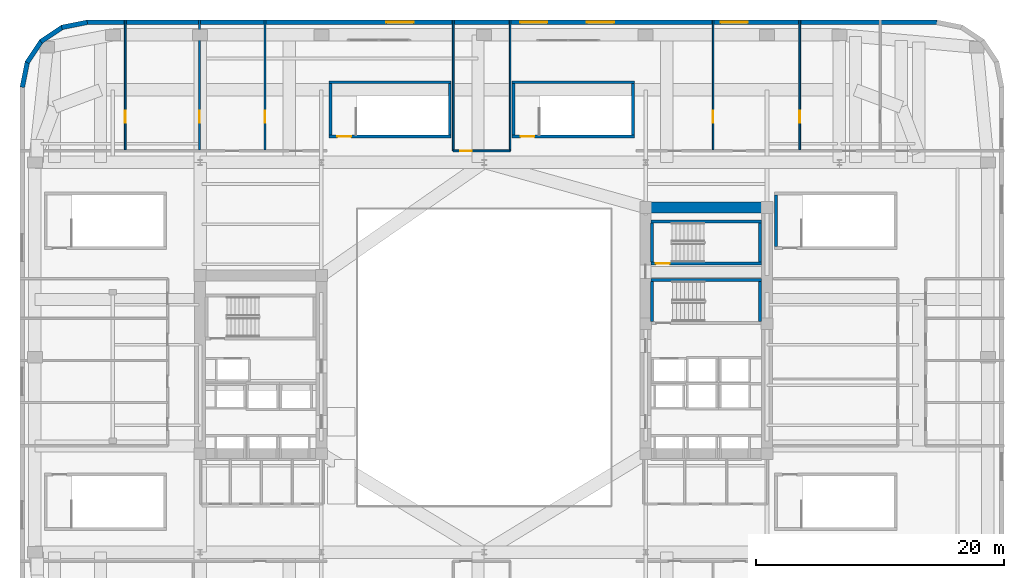
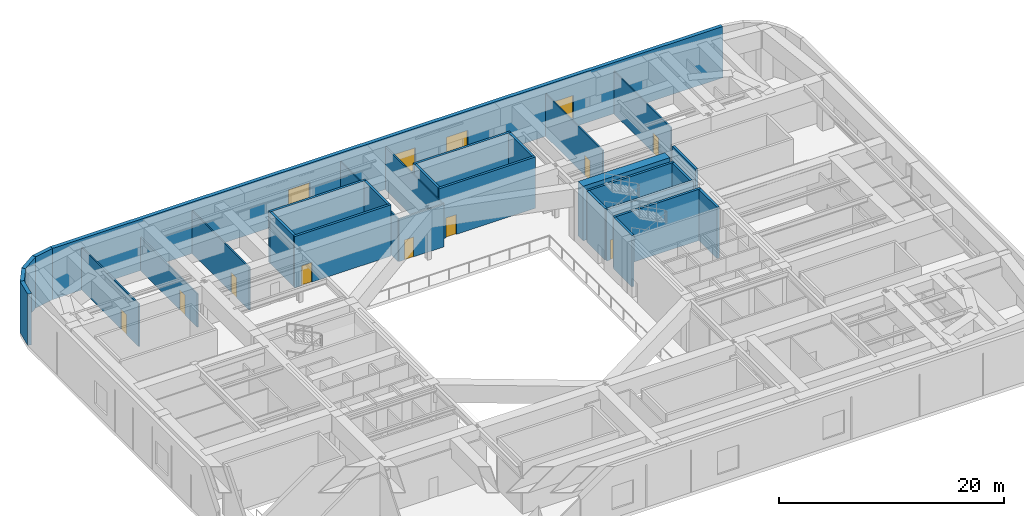
# One storey, part 9 of 16: 30 walls, 9 doors, 4 windows, 13 openings.
"""IFC4 building model written with IfcOpenShell, lengths in metres."""

from ifc_helpers import new_model, si_unit, direction, frame, frame_2d, origin, place, context, subcontext, project, spatial, rectangle, extrude, material, layer, layer_set, type_object, element, fill, save


model = new_model("IFC4")

# Units and contexts
model_context = context("Model", 3, precision=1e-05, world=origin(), true_north=direction((0.0, 1.0)))
body_context = subcontext(model_context, "Body", "Model", "MODEL_VIEW")
ifc_project = project(units=[si_unit("LENGTHUNIT", "METRE"), si_unit("AREAUNIT", "SQUARE_METRE"), si_unit("VOLUMEUNIT", "CUBIC_METRE"), si_unit("PLANEANGLEUNIT", "RADIAN"), si_unit("MASSUNIT", "GRAM", prefix="KILO")], contexts=[model_context])

# Site, building, storey
site_placement = place(None, origin())
site = spatial("IfcSite", under=ifc_project, at=site_placement, CompositionType="ELEMENT")
building_placement = place(site_placement, origin())
building = spatial("IfcBuilding", under=site, at=building_placement, Name="Kolvaren Arena Tower", CompositionType="ELEMENT")
storey_placement = place(building_placement, frame((0.0, 0.0, 28.0)))
storey = spatial("IfcBuildingStorey", under=building, at=storey_placement, Name="L05", CompositionType="ELEMENT", Elevation=28.0)

# Wall, opening, door
ifc_material_1 = material(Name="Gypsum board acoustic assembly", Category="gypsum")
ifc_layer_1 = layer(ifc_material_1, 0.159912109375)
ifc_layer_set_1 = layer_set([ifc_layer_1], Name="Gypsum board acoustic assembly")
wall_type_1 = type_object("IfcWallType", Name="CORR-160", PredefinedType="PARTITIONING", material=ifc_layer_set_1)
wall_1_placement = place(storey_placement, frame((35.0, 43.919921875, 0.0), z_axis=(0.0, 0.0, 1.0), x_axis=(1.0, 0.0, 0.0)))
wall_1 = element("IfcWall", 1, at=wall_1_placement, inside=storey, type_object=wall_type_1, Name="Interior Partition Wall (L05)", PredefinedType="PARTITIONING", context=body_context, shape_type="SweptSolid", body=[
    extrude(rectangle(XDim=4.60009765625, YDim=0.159912109375, at=frame_2d((2.300048828125, 0.0))), origin(), (0.0, 0.0, 1.0), 4.610107421875),
])
opening_1_placement = place(wall_1_placement, frame((0.550048828125, 0.0, 0.0)))
opening_1 = element("IfcOpeningElement", 2, at=opening_1_placement, cuts=wall_1, Name="Opening D05", PredefinedType="OPENING", context=body_context, shape_type="SweptSolid", body=[
    extrude(rectangle(XDim=0.949951171875, YDim=2.14990234375, at=frame_2d((0.47509765625, 1.074951171875))), frame((0.0, 0.08984375, 0.0), z_axis=(0.0, -1.0, 0.0), x_axis=(1.0, 0.0, 0.0)), (0.0, 0.0, 1.0), 0.179931640625),
])
ifc_material_2 = material(Name="Solid-core oak acoustic office door", Category="wood")
door_type_1 = type_object("IfcDoorType", Name="DOOR-OF-095", OperationType="NOTDEFINED", PredefinedType="DOOR", material=ifc_material_2)
door_1_placement = place(opening_1_placement, origin())
door_1 = element("IfcDoor", 3, at=door_1_placement, inside=storey, type_object=door_type_1, Name="North Concourse Lounge Door (L05)", OperationType="SINGLE_SWING_RIGHT", OverallHeight=2.14990234375, OverallWidth=0.949951171875, PredefinedType="DOOR", context=body_context, shape_type="SweptSolid", body=[
    extrude(rectangle(XDim=0.949951171875, YDim=2.14990234375, at=frame_2d((0.47509765625, 1.074951171875))), frame((0.0, 0.02490234375, 0.0), z_axis=(0.0, -1.0, 0.0), x_axis=(1.0, 0.0, 0.0)), (0.0, 0.0, 1.0), 0.050048828125),
])
fill(opening_1, door_1)

# Wall
ifc_material_3 = material(Name="Concrete 80 MPa", Category="concrete")
ifc_layer_2 = layer(ifc_material_3, 0.89990234375)
ifc_layer_set_2 = layer_set([ifc_layer_2], Name="Concrete 80 MPa")
wall_type_2 = type_object("IfcWallType", Name="CWALL-900", PredefinedType="SHEAR", material=ifc_layer_set_2)
wall_2_placement = place(storey_placement, frame((51.0, 39.35009765625, -0.35009765625), z_axis=(0.0, 0.0, 1.0), x_axis=(1.0, 0.0, 0.0)))
element("IfcWall", 4, at=wall_2_placement, inside=storey, type_object=wall_type_2, Name="Core Shear Wall EC-NORTH (L05)", PredefinedType="SHEAR", context=body_context, shape_type="SweptSolid", body=[
    extrude(rectangle(XDim=8.89990234375, YDim=0.89990234375, at=frame_2d((4.449951171875, 0.0))), origin(), (0.0, 0.0, 1.0), 5.900146484375),
])

# Wall, openings, windows
ifc_material_4 = material(Name="Precast concrete C50/60", Category="concrete")
ifc_layer_3 = layer(ifc_material_4, 0.3798828125)
ifc_layer_set_3 = layer_set([ifc_layer_3], Name="Precast concrete C50/60")
wall_type_3 = type_object("IfcWallType", Name="EXT-ARENA", PredefinedType="SOLIDWALL", material=ifc_layer_set_3)
wall_3_placement = place(storey_placement, frame((5.39990234375, 54.31005859375, 0.0), z_axis=(0.0, 0.0, 1.0), x_axis=(1.0, 0.0, 0.0)))
wall_3 = element("IfcWall", 5, at=wall_3_placement, inside=storey, type_object=wall_type_3, Name="Exterior Precast Masonry-Frame Wall (L05)", PredefinedType="SOLIDWALL", context=body_context, shape_type="SweptSolid", body=[
    extrude(rectangle(XDim=68.7001953125, YDim=0.3798828125, at=frame_2d((34.35009765625, 0.0))), origin(), (0.0, 0.0, 1.0), 5.550048828125),
])
opening_2_placement = place(wall_3_placement, frame((24.199951171875, 0.0, 0.949951171875)))
opening_2 = element("IfcOpeningElement", 6, at=opening_2_placement, cuts=wall_3, Name="Opening W07", PredefinedType="OPENING", context=body_context, shape_type="SweptSolid", body=[
    extrude(rectangle(XDim=2.199951171875, YDim=2.5, at=frame_2d((1.10009765625, 1.25))), frame((0.0, 0.199951171875, 0.0), z_axis=(0.0, -1.0, 0.0), x_axis=(1.0, 0.0, 0.0)), (0.0, 0.0, 1.0), 0.39990234375),
])
opening_3_placement = place(wall_3_placement, frame((35.0, 0.0, 0.949951171875)))
opening_3 = element("IfcOpeningElement", 7, at=opening_3_placement, cuts=wall_3, Name="Opening W07", PredefinedType="OPENING", context=body_context, shape_type="SweptSolid", body=[
    extrude(rectangle(XDim=2.199951171875, YDim=2.5, at=frame_2d((1.10009765625, 1.25))), frame((0.0, 0.199951171875, 0.0), z_axis=(0.0, -1.0, 0.0), x_axis=(1.0, 0.0, 0.0)), (0.0, 0.0, 1.0), 0.39990234375),
])
opening_4_placement = place(wall_3_placement, frame((40.39990234375, 0.0, 0.949951171875)))
opening_4 = element("IfcOpeningElement", 8, at=opening_4_placement, cuts=wall_3, Name="Opening W07", PredefinedType="OPENING", context=body_context, shape_type="SweptSolid", body=[
    extrude(rectangle(XDim=2.199951171875, YDim=2.5, at=frame_2d((1.10009765625, 1.25))), frame((0.0, 0.199951171875, 0.0), z_axis=(0.0, -1.0, 0.0), x_axis=(1.0, 0.0, 0.0)), (0.0, 0.0, 1.0), 0.39990234375),
])
opening_5_placement = place(wall_3_placement, frame((51.199951171875, 0.0, 0.949951171875)))
opening_5 = element("IfcOpeningElement", 9, at=opening_5_placement, cuts=wall_3, Name="Opening W07", PredefinedType="OPENING", context=body_context, shape_type="SweptSolid", body=[
    extrude(rectangle(XDim=2.199951171875, YDim=2.5, at=frame_2d((1.10009765625, 1.25))), frame((0.0, 0.199951171875, 0.0), z_axis=(0.0, -1.0, 0.0), x_axis=(1.0, 0.0, 0.0)), (0.0, 0.0, 1.0), 0.39990234375),
])
ifc_material_5 = material(Name="Triple-glazed arena concourse window", Category="glass")
window_type = type_object("IfcWindowType", Name="WIN-POD-A", PartitioningType="DOUBLE_PANEL_VERTICAL", PredefinedType="WINDOW", material=ifc_material_5)
window_1_placement = place(opening_2_placement, origin())
window_1 = element("IfcWindow", 10, at=window_1_placement, inside=storey, type_object=window_type, Name="Punched Precast-Pier Window (L05)", OverallHeight=2.5, OverallWidth=2.199951171875, PartitioningType="DOUBLE_PANEL_VERTICAL", PredefinedType="WINDOW", context=body_context, shape_type="SweptSolid", body=[
    extrude(rectangle(XDim=2.199951171875, YDim=2.5, at=frame_2d((1.10009765625, 1.25))), frame((0.0, 0.030029296875, 0.0), z_axis=(0.0, -1.0, 0.0), x_axis=(1.0, 0.0, 0.0)), (0.0, 0.0, 1.0), 0.06005859375),
])
fill(opening_2, window_1)
window_2_placement = place(opening_3_placement, origin())
window_2 = element("IfcWindow", 11, at=window_2_placement, inside=storey, type_object=window_type, Name="Punched Precast-Pier Window (L05)", OverallHeight=2.5, OverallWidth=2.199951171875, PartitioningType="DOUBLE_PANEL_VERTICAL", PredefinedType="WINDOW", context=body_context, shape_type="SweptSolid", body=[
    extrude(rectangle(XDim=2.199951171875, YDim=2.5, at=frame_2d((1.10009765625, 1.25))), frame((0.0, 0.030029296875, 0.0), z_axis=(0.0, -1.0, 0.0), x_axis=(1.0, 0.0, 0.0)), (0.0, 0.0, 1.0), 0.06005859375),
])
fill(opening_3, window_2)
window_3_placement = place(opening_4_placement, origin())
window_3 = element("IfcWindow", 12, at=window_3_placement, inside=storey, type_object=window_type, Name="Punched Precast-Pier Window (L05)", OverallHeight=2.5, OverallWidth=2.199951171875, PartitioningType="DOUBLE_PANEL_VERTICAL", PredefinedType="WINDOW", context=body_context, shape_type="SweptSolid", body=[
    extrude(rectangle(XDim=2.199951171875, YDim=2.5, at=frame_2d((1.10009765625, 1.25))), frame((0.0, 0.030029296875, 0.0), z_axis=(0.0, -1.0, 0.0), x_axis=(1.0, 0.0, 0.0)), (0.0, 0.0, 1.0), 0.06005859375),
])
fill(opening_4, window_3)
window_4_placement = place(opening_5_placement, origin())
window_4 = element("IfcWindow", 13, at=window_4_placement, inside=storey, type_object=window_type, Name="Punched Precast-Pier Window (L05)", OverallHeight=2.5, OverallWidth=2.199951171875, PartitioningType="DOUBLE_PANEL_VERTICAL", PredefinedType="WINDOW", context=body_context, shape_type="SweptSolid", body=[
    extrude(rectangle(XDim=2.199951171875, YDim=2.5, at=frame_2d((1.10009765625, 1.25))), frame((0.0, 0.030029296875, 0.0), z_axis=(0.0, -1.0, 0.0), x_axis=(1.0, 0.0, 0.0)), (0.0, 0.0, 1.0), 0.06005859375),
])
fill(opening_5, window_4)

# Walls
for number, where, z_axis, x_axis, name in (
    (14, (3.37060546875, 53.902587890625, 0.0), (0.0, 0.0, 1.0), (0.9807762837, 0.195135546048, 0.0), "Exterior Precast Masonry-Frame Wall (L05)"),
    (15, (1.687255859375, 52.760498046875, 0.0), (0.0, 0.0, 1.0), (0.831515102434, 0.555502146192, 0.0), "Exterior Precast Masonry-Frame Wall (L05)"),
    (16, (0.569091796875, 51.060791015625, 0.0), (0.0, 0.0, 1.0), (0.555502146192, 0.831515102434, 0.0), "Exterior Precast Masonry-Frame Wall (L05)"),
    (17, (0.186279296875, 49.06298828125, 0.0), (0.0, 0.0, 1.0), (0.195135546048, 0.9807762837, 0.0), "Exterior Precast Masonry-Frame Wall (L05)"),
):
    element("IfcWall", number, at=place(storey_placement, frame(where, z_axis=z_axis, x_axis=x_axis)), inside=storey, type_object=wall_type_3, Name=name, PredefinedType="SOLIDWALL", context=body_context, shape_type="SweptSolid", body=[
        extrude(rectangle(XDim=2.10693359375, YDim=0.3798828125, at=frame_2d((1.053466796875, 0.0))), origin(), (0.0, 0.0, 1.0), 5.550048828125),
    ])

# Wall, opening, door
ifc_material_6 = material(Name="Gypsum board partition assembly", Category="gypsum")
ifc_layer_4 = layer(ifc_material_6, 0.135009765625)
ifc_layer_set_4 = layer_set([ifc_layer_4], Name="Gypsum board partition assembly")
wall_type_4 = type_object("IfcWallType", Name="PART-135", PredefinedType="PARTITIONING", material=ifc_layer_set_4)
wall_4_placement = place(storey_placement, frame((8.5, 44.010009765625, 0.0), z_axis=(0.0, 0.0, 1.0), x_axis=(0.0, 1.0, 0.0)))
wall_4 = element("IfcWall", 18, at=wall_4_placement, inside=storey, type_object=wall_type_4, Name="Interior Partition Wall (L05)", PredefinedType="PARTITIONING", context=body_context, shape_type="SweptSolid", body=[
    extrude(rectangle(XDim=10.489990234375, YDim=0.135009765625, at=frame_2d((5.2451171875, 0.0))), origin(), (0.0, 0.0, 1.0), 4.610107421875),
])
opening_6_placement = place(wall_4_placement, frame((2.199951171875, 0.0, 0.0)))
opening_6 = element("IfcOpeningElement", 19, at=opening_6_placement, cuts=wall_4, Name="Opening D05", PredefinedType="OPENING", context=body_context, shape_type="SweptSolid", body=[
    extrude(rectangle(XDim=0.949951171875, YDim=2.14990234375, at=frame_2d((0.47509765625, 1.074951171875))), frame((0.0, 0.077392578125, 0.0), z_axis=(0.0, -1.0, 0.0), x_axis=(1.0, 0.0, 0.0)), (0.0, 0.0, 1.0), 0.155029296875),
])
door_2_placement = place(opening_6_placement, origin())
door_2 = element("IfcDoor", 20, at=door_2_placement, inside=storey, type_object=door_type_1, Name="North-West Spectator Club Connecting Door (L05)", OperationType="SINGLE_SWING_LEFT", OverallHeight=2.14990234375, OverallWidth=0.949951171875, PredefinedType="DOOR", context=body_context, shape_type="SweptSolid", body=[
    extrude(rectangle(XDim=0.949951171875, YDim=2.14990234375, at=frame_2d((0.47509765625, 1.074951171875))), frame((0.0, 0.02490234375, 0.0), z_axis=(0.0, -1.0, 0.0), x_axis=(1.0, 0.0, 0.0)), (0.0, 0.0, 1.0), 0.050048828125),
])
fill(opening_6, door_2)

wall_5_placement = place(storey_placement, frame((14.5, 44.010009765625, 0.0), z_axis=(0.0, 0.0, 1.0), x_axis=(0.0, 1.0, 0.0)))
wall_5 = element("IfcWall", 21, at=wall_5_placement, inside=storey, type_object=wall_type_4, Name="Interior Partition Wall (L05)", PredefinedType="PARTITIONING", context=body_context, shape_type="SweptSolid", body=[
    extrude(rectangle(XDim=10.489990234375, YDim=0.135009765625, at=frame_2d((5.2451171875, 0.0))), origin(), (0.0, 0.0, 1.0), 3.60009765625),
])
opening_7_placement = place(wall_5_placement, frame((2.199951171875, 0.0, 0.0)))
opening_7 = element("IfcOpeningElement", 22, at=opening_7_placement, cuts=wall_5, Name="Opening D05", PredefinedType="OPENING", context=body_context, shape_type="SweptSolid", body=[
    extrude(rectangle(XDim=0.949951171875, YDim=2.14990234375, at=frame_2d((0.47509765625, 1.074951171875))), frame((0.0, 0.077392578125, 0.0), z_axis=(0.0, -1.0, 0.0), x_axis=(1.0, 0.0, 0.0)), (0.0, 0.0, 1.0), 0.155029296875),
])
door_3_placement = place(opening_7_placement, origin())
door_3 = element("IfcDoor", 23, at=door_3_placement, inside=storey, type_object=door_type_1, Name="Concourse Kitchen Connecting Door (L05)", OperationType="SINGLE_SWING_LEFT", OverallHeight=2.14990234375, OverallWidth=0.949951171875, PredefinedType="DOOR", context=body_context, shape_type="SweptSolid", body=[
    extrude(rectangle(XDim=0.949951171875, YDim=2.14990234375, at=frame_2d((0.47509765625, 1.074951171875))), frame((0.0, 0.02490234375, 0.0), z_axis=(0.0, -1.0, 0.0), x_axis=(1.0, 0.0, 0.0)), (0.0, 0.0, 1.0), 0.050048828125),
])
fill(opening_7, door_3)

wall_6_placement = place(storey_placement, frame((19.800048828125, 44.010009765625, 0.0), z_axis=(0.0, 0.0, 1.0), x_axis=(0.0, 1.0, 0.0)))
wall_6 = element("IfcWall", 24, at=wall_6_placement, inside=storey, type_object=wall_type_4, Name="Interior Partition Wall (L05)", PredefinedType="PARTITIONING", context=body_context, shape_type="SweptSolid", body=[
    extrude(rectangle(XDim=10.489990234375, YDim=0.135009765625, at=frame_2d((5.2451171875, 0.0))), origin(), (0.0, 0.0, 1.0), 4.610107421875),
])
opening_8_placement = place(wall_6_placement, frame((2.199951171875, 0.0, 0.0)))
opening_8 = element("IfcOpeningElement", 25, at=opening_8_placement, cuts=wall_6, Name="Opening D05", PredefinedType="OPENING", context=body_context, shape_type="SweptSolid", body=[
    extrude(rectangle(XDim=0.949951171875, YDim=2.14990234375, at=frame_2d((0.47509765625, 1.074951171875))), frame((0.0, 0.077392578125, 0.0), z_axis=(0.0, -1.0, 0.0), x_axis=(1.0, 0.0, 0.0)), (0.0, 0.0, 1.0), 0.155029296875),
])
door_4_placement = place(opening_8_placement, origin())
door_4 = element("IfcDoor", 26, at=door_4_placement, inside=storey, type_object=door_type_1, Name="Family Lounge Connecting Door (L05)", OperationType="SINGLE_SWING_LEFT", OverallHeight=2.14990234375, OverallWidth=0.949951171875, PredefinedType="DOOR", context=body_context, shape_type="SweptSolid", body=[
    extrude(rectangle(XDim=0.949951171875, YDim=2.14990234375, at=frame_2d((0.47509765625, 1.074951171875))), frame((0.0, 0.02490234375, 0.0), z_axis=(0.0, -1.0, 0.0), x_axis=(1.0, 0.0, 0.0)), (0.0, 0.0, 1.0), 0.050048828125),
])
fill(opening_8, door_4)

wall_7_placement = place(storey_placement, frame((56.0, 44.010009765625, 0.0), z_axis=(0.0, 0.0, 1.0), x_axis=(0.0, 1.0, 0.0)))
wall_7 = element("IfcWall", 27, at=wall_7_placement, inside=storey, type_object=wall_type_4, Name="Interior Partition Wall (L05)", PredefinedType="PARTITIONING", context=body_context, shape_type="SweptSolid", body=[
    extrude(rectangle(XDim=10.489990234375, YDim=0.135009765625, at=frame_2d((5.2451171875, 0.0))), origin(), (0.0, 0.0, 1.0), 4.610107421875),
])
opening_9_placement = place(wall_7_placement, frame((2.199951171875, 0.0, 0.0)))
opening_9 = element("IfcOpeningElement", 28, at=opening_9_placement, cuts=wall_7, Name="Opening D05", PredefinedType="OPENING", context=body_context, shape_type="SweptSolid", body=[
    extrude(rectangle(XDim=0.949951171875, YDim=2.14990234375, at=frame_2d((0.47509765625, 1.074951171875))), frame((0.0, 0.077392578125, 0.0), z_axis=(0.0, -1.0, 0.0), x_axis=(1.0, 0.0, 0.0)), (0.0, 0.0, 1.0), 0.155029296875),
])
door_5_placement = place(opening_9_placement, origin())
door_5 = element("IfcDoor", 29, at=door_5_placement, inside=storey, type_object=door_type_1, Name="North-East Sponsor Hall Connecting Door (L05)", OperationType="SINGLE_SWING_LEFT", OverallHeight=2.14990234375, OverallWidth=0.949951171875, PredefinedType="DOOR", context=body_context, shape_type="SweptSolid", body=[
    extrude(rectangle(XDim=0.949951171875, YDim=2.14990234375, at=frame_2d((0.47509765625, 1.074951171875))), frame((0.0, 0.02490234375, 0.0), z_axis=(0.0, -1.0, 0.0), x_axis=(1.0, 0.0, 0.0)), (0.0, 0.0, 1.0), 0.050048828125),
])
fill(opening_9, door_5)

wall_8_placement = place(storey_placement, frame((63.0, 44.010009765625, 0.0), z_axis=(0.0, 0.0, 1.0), x_axis=(0.0, 1.0, 0.0)))
wall_8 = element("IfcWall", 30, at=wall_8_placement, inside=storey, type_object=wall_type_4, Name="Interior Partition Wall (L05)", PredefinedType="PARTITIONING", context=body_context, shape_type="SweptSolid", body=[
    extrude(rectangle(XDim=10.489990234375, YDim=0.135009765625, at=frame_2d((5.2451171875, 0.0))), origin(), (0.0, 0.0, 1.0), 4.610107421875),
])
opening_10_placement = place(wall_8_placement, frame((2.199951171875, 0.0, 0.0)))
opening_10 = element("IfcOpeningElement", 31, at=opening_10_placement, cuts=wall_8, Name="Opening D05", PredefinedType="OPENING", context=body_context, shape_type="SweptSolid", body=[
    extrude(rectangle(XDim=0.949951171875, YDim=2.14990234375, at=frame_2d((0.47509765625, 1.074951171875))), frame((0.0, 0.077392578125, 0.0), z_axis=(0.0, -1.0, 0.0), x_axis=(1.0, 0.0, 0.0)), (0.0, 0.0, 1.0), 0.155029296875),
])
door_6_placement = place(opening_10_placement, origin())
door_6 = element("IfcDoor", 32, at=door_6_placement, inside=storey, type_object=door_type_1, Name="Media Hospitality Room Connecting Door (L05)", OperationType="SINGLE_SWING_LEFT", OverallHeight=2.14990234375, OverallWidth=0.949951171875, PredefinedType="DOOR", context=body_context, shape_type="SweptSolid", body=[
    extrude(rectangle(XDim=0.949951171875, YDim=2.14990234375, at=frame_2d((0.47509765625, 1.074951171875))), frame((0.0, 0.02490234375, 0.0), z_axis=(0.0, -1.0, 0.0), x_axis=(1.0, 0.0, 0.0)), (0.0, 0.0, 1.0), 0.050048828125),
])
fill(opening_10, door_6)

# Walls
for number, where, z_axis, x_axis, name in (
    (33, (35.0, 43.919921875, 0.0), (0.0, 0.0, 1.0), (0.0, 1.0, 0.0), "Interior Partition Wall (L05)"),
    (34, (39.60009765625, 43.919921875, 0.0), (0.0, 0.0, 1.0), (0.0, 1.0, 0.0), "Interior Partition Wall (L05)"),
):
    element("IfcWall", number, at=place(storey_placement, frame(where, z_axis=z_axis, x_axis=x_axis)), inside=storey, type_object=wall_type_4, Name=name, PredefinedType="PARTITIONING", context=body_context, shape_type="SweptSolid", body=[
        extrude(rectangle(XDim=10.580078125, YDim=0.135009765625, at=frame_2d((5.2900390625, 0.0))), origin(), (0.0, 0.0, 1.0), 4.610107421875),
    ])

# Wall, opening, door
ifc_material_7 = material(Name="Concrete 45 MPa", Category="concrete")
ifc_layer_5 = layer(ifc_material_7, 0.25)
ifc_layer_set_5 = layer_set([ifc_layer_5], Name="Concrete 45 MPa")
wall_type_5 = type_object("IfcWallType", Name="SHAFT-250", PredefinedType="SOLIDWALL", material=ifc_layer_set_5)
wall_9_placement = place(storey_placement, frame((34.840087890625, 45.080078125, 0.0), z_axis=(0.0, 0.0, 1.0), x_axis=(-1.0, 0.0, 0.0)))
wall_9 = element("IfcWall", 35, at=wall_9_placement, inside=storey, type_object=wall_type_5, Name="Stair ST-A6 Rated Enclosure Wall (L05)", PredefinedType="SOLIDWALL", context=body_context, shape_type="SweptSolid", body=[
    extrude(rectangle(XDim=9.880126953125, YDim=0.239990234375, at=frame_2d((4.93994140625, 0.0))), origin(), (0.0, 0.0, 1.0), 5.550048828125),
])
opening_11_placement = place(wall_9_placement, frame((8.090087890625, 0.0, 0.0)))
opening_11 = element("IfcOpeningElement", 36, at=opening_11_placement, cuts=wall_9, Name="Opening D03", PredefinedType="OPENING", context=body_context, shape_type="SweptSolid", body=[
    extrude(rectangle(XDim=1.10009765625, YDim=2.14990234375, at=frame_2d((0.550048828125, 1.074951171875))), frame((0.0, 0.1298828125, 0.0), z_axis=(0.0, -1.0, 0.0), x_axis=(1.0, 0.0, 0.0)), (0.0, 0.0, 1.0), 0.260009765625),
])
ifc_material_8 = material(Name="Fire-rated steel exit stair door", Category="steel")
door_type_2 = type_object("IfcDoorType", Name="DOOR-ST-110", OperationType="NOTDEFINED", PredefinedType="DOOR", material=ifc_material_8)
door_7_placement = place(opening_11_placement, origin())
door_7 = element("IfcDoor", 37, at=door_7_placement, inside=storey, type_object=door_type_2, Name="Exit Stair ST-A6 Fire Door (L05)", OperationType="SINGLE_SWING_RIGHT", OverallHeight=2.14990234375, OverallWidth=1.10009765625, PredefinedType="DOOR", context=body_context, shape_type="SweptSolid", body=[
    extrude(rectangle(XDim=1.10009765625, YDim=2.14990234375, at=frame_2d((0.550048828125, 1.074951171875))), frame((0.0, 0.02490234375, 0.0), z_axis=(0.0, -1.0, 0.0), x_axis=(1.0, 0.0, 0.0)), (0.0, 0.0, 1.0), 0.050048828125),
])
fill(opening_11, door_7)

# Walls
wall_10_placement = place(storey_placement, frame((24.9599609375, 49.469970703125, 0.0), z_axis=(0.0, 0.0, 1.0), x_axis=(1.0, 0.0, 0.0)))
element("IfcWall", 38, at=wall_10_placement, inside=storey, type_object=wall_type_5, Name="Stair ST-A6 Rear Shaft Wall (L05)", PredefinedType="SOLIDWALL", context=body_context, shape_type="SweptSolid", body=[
    extrude(rectangle(XDim=9.880126953125, YDim=0.239990234375, at=frame_2d((4.93994140625, 0.0))), origin(), (0.0, 0.0, 1.0), 5.550048828125),
])
for number, where, z_axis, x_axis, name in (
    (39, (25.080078125, 45.199951171875, 0.0), (0.0, 0.0, 1.0), (0.0, 1.0, 0.0), "Stair ST-A6 West Shaft Wall (L05)"),
    (40, (34.719970703125, 45.199951171875, 0.0), (0.0, 0.0, 1.0), (0.0, 1.0, 0.0), "Stair ST-A6 East Shaft Wall (L05)"),
):
    element("IfcWall", number, at=place(storey_placement, frame(where, z_axis=z_axis, x_axis=x_axis)), inside=storey, type_object=wall_type_5, Name=name, PredefinedType="SOLIDWALL", context=body_context, shape_type="SweptSolid", body=[
        extrude(rectangle(XDim=4.150146484375, YDim=0.239990234375, at=frame_2d((2.0751953125, 0.0))), origin(), (0.0, 0.0, 1.0), 5.550048828125),
    ])

# Wall, opening, door
wall_11_placement = place(storey_placement, frame((49.639892578125, 45.080078125, 0.0), z_axis=(0.0, 0.0, 1.0), x_axis=(-1.0, 0.0, 0.0)))
wall_11 = element("IfcWall", 41, at=wall_11_placement, inside=storey, type_object=wall_type_5, Name="Stair ST-A7 Rated Enclosure Wall (L05)", PredefinedType="SOLIDWALL", context=body_context, shape_type="SweptSolid", body=[
    extrude(rectangle(XDim=9.8798828125, YDim=0.239990234375, at=frame_2d((4.93994140625, 0.0))), origin(), (0.0, 0.0, 1.0), 5.550048828125),
])
opening_12_placement = place(wall_11_placement, frame((8.090087890625, 0.0, 0.0)))
opening_12 = element("IfcOpeningElement", 42, at=opening_12_placement, cuts=wall_11, Name="Opening D03", PredefinedType="OPENING", context=body_context, shape_type="SweptSolid", body=[
    extrude(rectangle(XDim=1.10009765625, YDim=2.14990234375, at=frame_2d((0.550048828125, 1.074951171875))), frame((0.0, 0.1298828125, 0.0), z_axis=(0.0, -1.0, 0.0), x_axis=(1.0, 0.0, 0.0)), (0.0, 0.0, 1.0), 0.260009765625),
])
door_8_placement = place(opening_12_placement, origin())
door_8 = element("IfcDoor", 43, at=door_8_placement, inside=storey, type_object=door_type_2, Name="Exit Stair ST-A7 Fire Door (L05)", OperationType="SINGLE_SWING_RIGHT", OverallHeight=2.14990234375, OverallWidth=1.10009765625, PredefinedType="DOOR", context=body_context, shape_type="SweptSolid", body=[
    extrude(rectangle(XDim=1.10009765625, YDim=2.14990234375, at=frame_2d((0.550048828125, 1.074951171875))), frame((0.0, 0.02490234375, 0.0), z_axis=(0.0, -1.0, 0.0), x_axis=(1.0, 0.0, 0.0)), (0.0, 0.0, 1.0), 0.050048828125),
])
fill(opening_12, door_8)

# Walls
wall_12_placement = place(storey_placement, frame((39.760009765625, 49.469970703125, 0.0), z_axis=(0.0, 0.0, 1.0), x_axis=(1.0, 0.0, 0.0)))
element("IfcWall", 44, at=wall_12_placement, inside=storey, type_object=wall_type_5, Name="Stair ST-A7 Rear Shaft Wall (L05)", PredefinedType="SOLIDWALL", context=body_context, shape_type="SweptSolid", body=[
    extrude(rectangle(XDim=9.8798828125, YDim=0.239990234375, at=frame_2d((4.93994140625, 0.0))), origin(), (0.0, 0.0, 1.0), 5.550048828125),
])
for number, where, z_axis, x_axis, name in (
    (45, (39.8798828125, 45.199951171875, 0.0), (0.0, 0.0, 1.0), (0.0, 1.0, 0.0), "Stair ST-A7 West Shaft Wall (L05)"),
    (46, (49.52001953125, 45.199951171875, 0.0), (0.0, 0.0, 1.0), (0.0, 1.0, 0.0), "Stair ST-A7 East Shaft Wall (L05)"),
    (47, (61.080078125, 36.199951171875, 0.0), (0.0, 0.0, 1.0), (0.0, 1.0, 0.0), "Stair ST-A8 West Shaft Wall (L05)"),
):
    element("IfcWall", number, at=place(storey_placement, frame(where, z_axis=z_axis, x_axis=x_axis)), inside=storey, type_object=wall_type_5, Name=name, PredefinedType="SOLIDWALL", context=body_context, shape_type="SweptSolid", body=[
        extrude(rectangle(XDim=4.150146484375, YDim=0.239990234375, at=frame_2d((2.0751953125, 0.0))), origin(), (0.0, 0.0, 1.0), 5.550048828125),
    ])
wall_13_placement = place(storey_placement, frame((51.0, 33.5, 0.0), z_axis=(0.0, 0.0, 1.0), x_axis=(1.0, 0.0, 0.0)))
element("IfcWall", 48, at=wall_13_placement, inside=storey, type_object=wall_type_5, Name="Core Shaft Wall (L05)", PredefinedType="SOLIDWALL", context=body_context, shape_type="SweptSolid", body=[
    extrude(rectangle(XDim=8.89990234375, YDim=0.239990234375, at=frame_2d((4.449951171875, 0.0))), origin(), (0.0, 0.0, 1.0), 5.550048828125),
])
for number, where, z_axis, x_axis, name in (
    (49, (51.06005859375, 30.14990234375, 0.0), (0.0, 0.0, 1.0), (0.0, 1.0, 0.0), "Core Shaft Wall (L05)"),
    (50, (59.780029296875, 30.14990234375, 0.0), (0.0, 0.0, 1.0), (0.0, 1.0, 0.0), "Core Shaft Wall (L05)"),
):
    element("IfcWall", number, at=place(storey_placement, frame(where, z_axis=z_axis, x_axis=x_axis)), inside=storey, type_object=wall_type_5, Name=name, PredefinedType="SOLIDWALL", context=body_context, shape_type="SweptSolid", body=[
        extrude(rectangle(XDim=3.22998046875, YDim=0.239990234375, at=frame_2d((1.614990234375, 0.0))), origin(), (0.0, 0.0, 1.0), 5.550048828125),
    ])

# Wall, opening, door
wall_14_placement = place(storey_placement, frame((59.89990234375, 34.830078125, 0.0), z_axis=(0.0, 0.0, 1.0), x_axis=(-1.0, 0.0, 0.0)))
wall_14 = element("IfcWall", 51, at=wall_14_placement, inside=storey, type_object=wall_type_5, Name="Core Shaft Wall (L05)", PredefinedType="SOLIDWALL", context=body_context, shape_type="SweptSolid", body=[
    extrude(rectangle(XDim=8.89990234375, YDim=0.239990234375, at=frame_2d((4.449951171875, 0.0))), origin(), (0.0, 0.0, 1.0), 5.550048828125),
])
opening_13_placement = place(wall_14_placement, frame((7.419921875, 0.0, 0.0)))
opening_13 = element("IfcOpeningElement", 52, at=opening_13_placement, cuts=wall_14, Name="Opening D03", PredefinedType="OPENING", context=body_context, shape_type="SweptSolid", body=[
    extrude(rectangle(XDim=1.10009765625, YDim=2.14990234375, at=frame_2d((0.550048828125, 1.074951171875))), frame((0.0, 0.1298828125, 0.0), z_axis=(0.0, -1.0, 0.0), x_axis=(1.0, 0.0, 0.0)), (0.0, 0.0, 1.0), 0.260009765625),
])
door_9_placement = place(opening_13_placement, origin())
door_9 = element("IfcDoor", 53, at=door_9_placement, inside=storey, type_object=door_type_2, Name="Stair ST-E2 Fire Door (L05)", OperationType="SINGLE_SWING_LEFT", OverallHeight=2.14990234375, OverallWidth=1.10009765625, PredefinedType="DOOR", context=body_context, shape_type="SweptSolid", body=[
    extrude(rectangle(XDim=1.10009765625, YDim=2.14990234375, at=frame_2d((0.550048828125, 1.074951171875))), frame((0.0, 0.02490234375, 0.0), z_axis=(0.0, -1.0, 0.0), x_axis=(1.0, 0.0, 0.0)), (0.0, 0.0, 1.0), 0.050048828125),
])
fill(opening_13, door_9)

# Walls
wall_15_placement = place(storey_placement, frame((51.0, 38.219970703125, 0.0), z_axis=(0.0, 0.0, 1.0), x_axis=(1.0, 0.0, 0.0)))
element("IfcWall", 54, at=wall_15_placement, inside=storey, type_object=wall_type_5, Name="Core Shaft Wall (L05)", PredefinedType="SOLIDWALL", context=body_context, shape_type="SweptSolid", body=[
    extrude(rectangle(XDim=8.89990234375, YDim=0.239990234375, at=frame_2d((4.449951171875, 0.0))), origin(), (0.0, 0.0, 1.0), 5.550048828125),
])
for number, where, z_axis, x_axis, name in (
    (55, (51.06005859375, 34.949951171875, 0.0), (0.0, 0.0, 1.0), (0.0, 1.0, 0.0), "Core Shaft Wall (L05)"),
    (56, (59.780029296875, 34.949951171875, 0.0), (0.0, 0.0, 1.0), (0.0, 1.0, 0.0), "Core Shaft Wall (L05)"),
):
    element("IfcWall", number, at=place(storey_placement, frame(where, z_axis=z_axis, x_axis=x_axis)), inside=storey, type_object=wall_type_5, Name=name, PredefinedType="SOLIDWALL", context=body_context, shape_type="SweptSolid", body=[
        extrude(rectangle(XDim=3.150146484375, YDim=0.239990234375, at=frame_2d((1.5751953125, 0.0))), origin(), (0.0, 0.0, 1.0), 5.550048828125),
    ])

save(model, "model.ifc")
